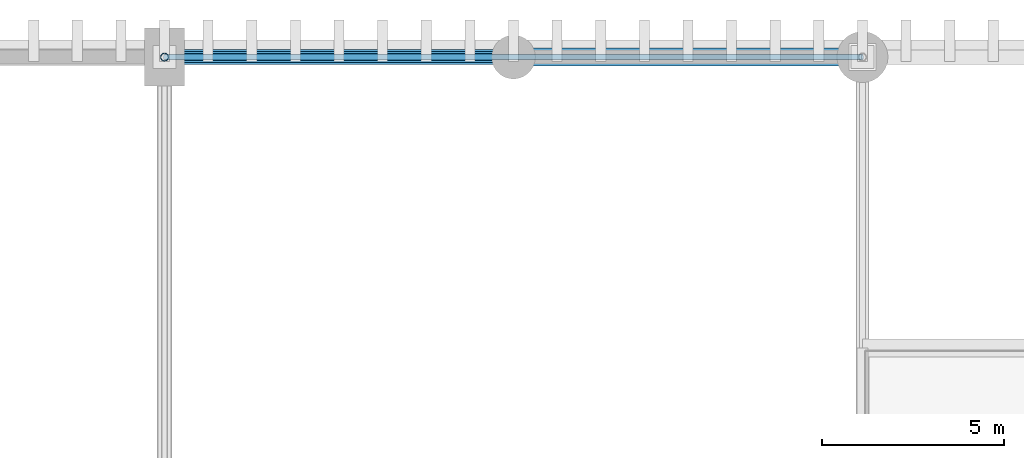
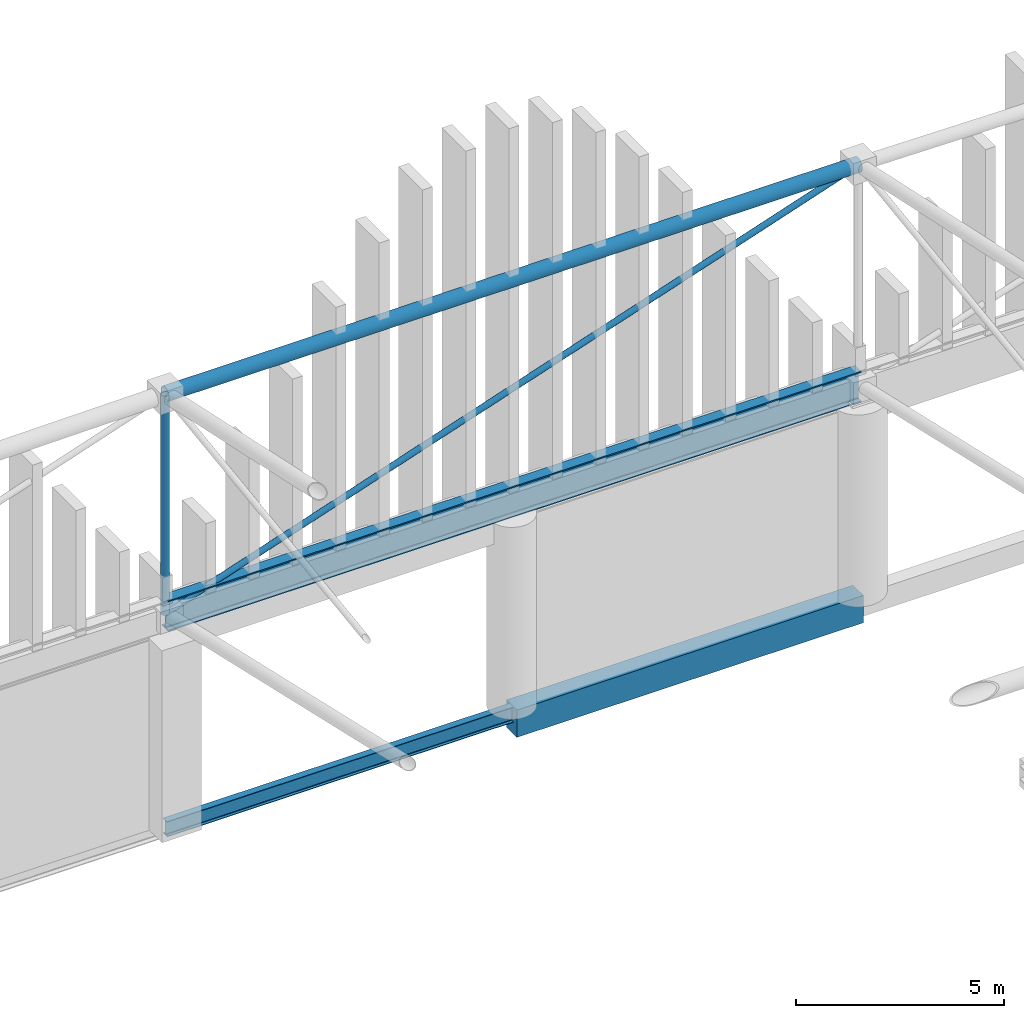
# One storey, part 131 of 193: 3 beams, 3 members.
"""IFC4 building model written with IfcOpenShell, lengths in metres."""

from ifc_helpers import new_model, si_unit, direction, frame, origin, origin_2d, place, context, subcontext, project, spatial, rectangle, hollow_circle, i_section, extrude, material, material_profile, profile_set, type_object, element, save


model = new_model("IFC4")

# Units and contexts
model_context = context("Model", 3, precision=1e-05, world=origin(), true_north=direction((0.0, 1.0)))
body_context = subcontext(model_context, "Body", "Model", "MODEL_VIEW")
ifc_project = project(units=[si_unit("LENGTHUNIT", "METRE"), si_unit("AREAUNIT", "SQUARE_METRE"), si_unit("VOLUMEUNIT", "CUBIC_METRE"), si_unit("PLANEANGLEUNIT", "RADIAN"), si_unit("MASSUNIT", "GRAM", prefix="KILO")], contexts=[model_context])

# Site, building, storey
site_placement = place(None, origin())
site = spatial("IfcSite", under=ifc_project, at=site_placement, CompositionType="ELEMENT")
building_placement = place(site_placement, origin())
building = spatial("IfcBuilding", under=site, at=building_placement, Name="Danafjord Basin Convention Centre", CompositionType="ELEMENT")
storey_placement = place(building_placement, frame((0.0, 0.0, 11.39990234375)))
storey = spatial("IfcBuildingStorey", under=building, at=storey_placement, Name="L02", CompositionType="ELEMENT", Elevation=11.39990234375)

# Beams
ifc_material_1 = material(Name="Steel S355", Category="steel")
ifc_material_profile_1 = material_profile(ifc_material_1, i_section(OverallWidth=0.300048828125, OverallDepth=0.89990234375, WebThickness=0.0185546875, FlangeThickness=0.034912109375, FilletRadius=0.030029296875, at=origin_2d()), Name="HEB 900")
ifc_profile_set_1 = profile_set([ifc_material_profile_1], Name="Steel S355")
beam_type_1 = type_object("IfcBeamType", Name="BEAM-BM-HEB900", PredefinedType="BEAM", material=ifc_profile_set_1)
beam_1_placement = place(storey_placement, frame((76.800048828125, 144.0, 6.050048828125), z_axis=(1.0, 0.0, 0.0), x_axis=(0.0, 1.0, 0.0)))
element("IfcBeam", 1, at=beam_1_placement, inside=storey, type_object=beam_type_1, Name="V1 space-frame perimeter ring girder", PredefinedType="BEAM", context=body_context, shape_type="SweptSolid", body=[
    extrude(i_section(OverallWidth=0.300048828125, OverallDepth=0.89990234375, WebThickness=0.0185546875, FlangeThickness=0.034912109375, FilletRadius=0.030029296875, at=origin_2d()), origin(), (0.0, 0.0, 1.0), 19.199951171875),
])
ifc_material_profile_2 = material_profile(ifc_material_1, i_section(OverallWidth=0.18994140625, OverallDepth=0.449951171875, WebThickness=0.009521484375, FlangeThickness=0.0146484375, FilletRadius=0.02099609375, at=origin_2d()), Name="IPE 450")
ifc_profile_set_2 = profile_set([ifc_material_profile_2], Name="Steel S355")
beam_type_2 = type_object("IfcBeamType", Name="BEAM-SP-IPE450", PredefinedType="SPANDREL", material=ifc_profile_set_2)
beam_2_placement = place(storey_placement, frame((76.800048828125, 144.0, -0.224853515625), z_axis=(1.0, 0.0, 0.0), x_axis=(0.0, 1.0, 0.0)))
element("IfcBeam", 2, at=beam_2_placement, inside=storey, type_object=beam_type_2, Name="L02 girder SP-IPE450", PredefinedType="SPANDREL", context=body_context, shape_type="SweptSolid", body=[
    extrude(i_section(OverallWidth=0.18994140625, OverallDepth=0.449951171875, WebThickness=0.009521484375, FlangeThickness=0.0146484375, FilletRadius=0.02099609375, at=origin_2d()), origin(), (0.0, 0.0, 1.0), 9.599853515625),
])
ifc_material_2 = material(Name="Precast concrete C45/55", Category="concrete")
ifc_material_profile_3 = material_profile(ifc_material_2, rectangle(XDim=0.5, YDim=0.800048828125, at=origin_2d()), Name="PCB 500x800")
ifc_profile_set_3 = profile_set([ifc_material_profile_3], Name="Precast concrete C45/55")
beam_type_3 = type_object("IfcBeamType", Name="BEAM-SP-PCB800", PredefinedType="SPANDREL", material=ifc_profile_set_3)
beam_3_placement = place(storey_placement, frame((86.39990234375, 144.0, -0.39990234375), z_axis=(1.0, 0.0, 0.0), x_axis=(0.0, 1.0, 0.0)))
element("IfcBeam", 3, at=beam_3_placement, inside=storey, type_object=beam_type_3, Name="L02 girder SP-PCB800", PredefinedType="SPANDREL", context=body_context, shape_type="SweptSolid", body=[
    extrude(rectangle(XDim=0.5, YDim=0.800048828125, at=origin_2d()), origin(), (0.0, 0.0, 1.0), 9.60009765625),
])

# Members
ifc_material_profile_4 = material_profile(ifc_material_1, hollow_circle(Radius=0.203125, WallThickness=0.02001953125, at=origin_2d()), Name="CHS 406.4x20.0")
ifc_profile_set_4 = profile_set([ifc_material_profile_4], Name="Steel S355")
member_type_1 = type_object("IfcMemberType", Name="MEM-CH-CHS406", PredefinedType="CHORD", material=ifc_profile_set_4)
member_1_placement = place(storey_placement, frame((76.800048828125, 144.0, 12.47509765625), z_axis=(1.0, 0.0, 0.0), x_axis=(0.0, 1.0, 0.0)))
element("IfcMember", 4, at=member_1_placement, inside=storey, type_object=member_type_1, Name="V1 roof truss longitudinal top chord", PredefinedType="CHORD", context=body_context, shape_type="SweptSolid", body=[
    extrude(hollow_circle(Radius=0.203125, WallThickness=0.02001953125, at=origin_2d()), origin(), (0.0, 0.0, 1.0), 19.199951171875),
])
ifc_material_profile_5 = material_profile(ifc_material_1, hollow_circle(Radius=0.109619140625, WallThickness=0.010009765625, at=origin_2d()), Name="CHS 219.1x10.0")
ifc_profile_set_5 = profile_set([ifc_material_profile_5], Name="Steel S355")
member_type_2 = type_object("IfcMemberType", Name="MEM-ST-CHS219", PredefinedType="STRUT", material=ifc_profile_set_5)
member_2_placement = place(storey_placement, frame((76.800048828125, 144.0, 6.050048828125), z_axis=(0.0, 0.0, 1.0), x_axis=(1.0, 0.0, 0.0)))
element("IfcMember", 5, at=member_2_placement, inside=storey, type_object=member_type_2, Name="V1 roof truss vertical strut", PredefinedType="STRUT", context=body_context, shape_type="SweptSolid", body=[
    extrude(hollow_circle(Radius=0.109619140625, WallThickness=0.010009765625, at=origin_2d()), origin(), (0.0, 0.0, 1.0), 6.425048828125),
])
ifc_material_profile_6 = material_profile(ifc_material_1, hollow_circle(Radius=0.084228515625, WallThickness=0.008056640625, at=origin_2d()), Name="CHS 168.3x8.0")
ifc_profile_set_6 = profile_set([ifc_material_profile_6], Name="Steel S355")
member_type_3 = type_object("IfcMemberType", Name="MEM-WB-CHS168", PredefinedType="MEMBER", material=ifc_profile_set_6)
member_3_placement = place(storey_placement, frame((76.800048828125, 144.0, 6.050048828125), z_axis=(0.948311244058, 0.0, 0.317341747007), x_axis=(0.0, 1.0, 0.0)))
element("IfcMember", 6, at=member_3_placement, inside=storey, type_object=member_type_3, Name="V1 space-frame longitudinal web", PredefinedType="MEMBER", context=body_context, shape_type="SweptSolid", body=[
    extrude(hollow_circle(Radius=0.084228515625, WallThickness=0.008056640625, at=origin_2d()), origin(), (0.0, 0.0, 1.0), 20.24658203125),
])

save(model, "model.ifc")
